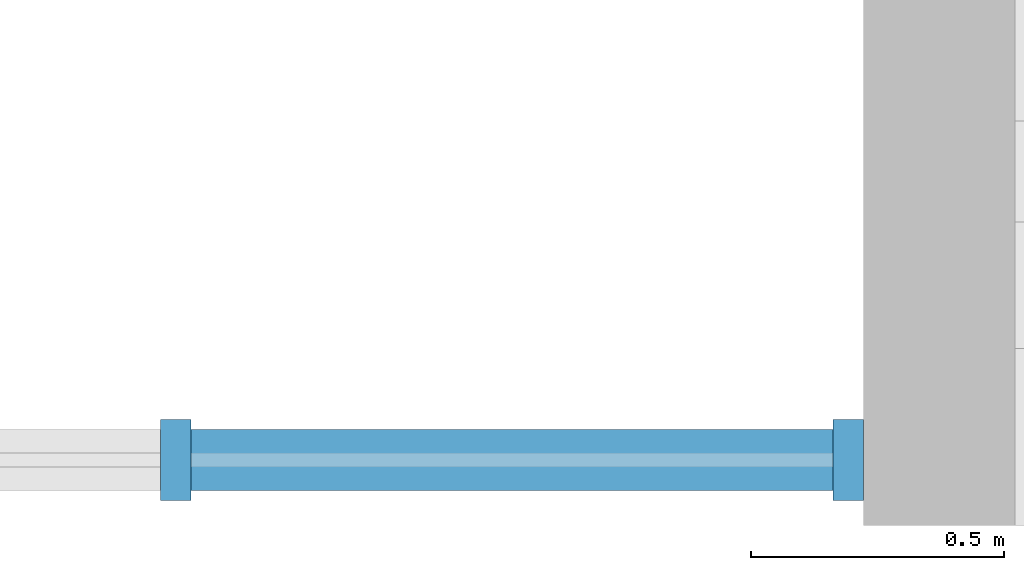
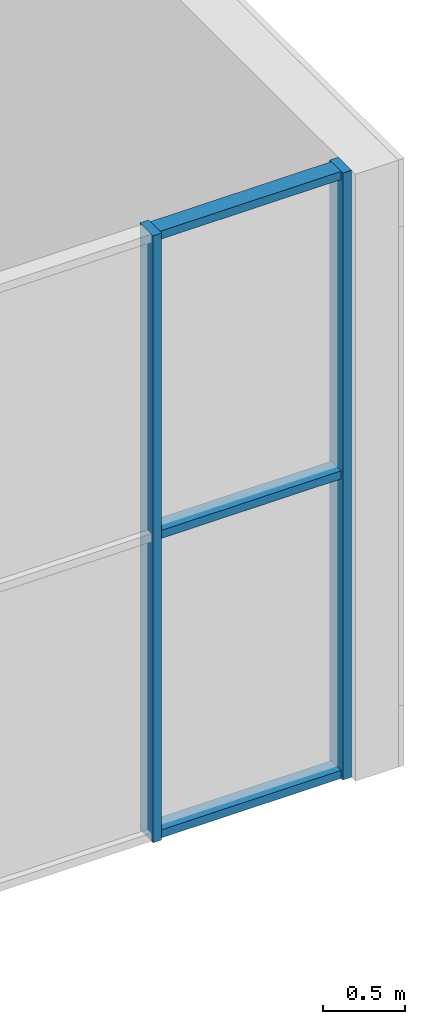
# One storey, part 11 of 70: 5 members, 1 element without a shape of its own.
"""IFC4 building model written with IfcOpenShell, lengths in metres."""

from ifc_helpers import new_model, si_unit, direction, frame, origin, origin_2d, place, context, subcontext, project, spatial, rectangle, extrude, material, material_profile, profile_set, type_object, element, aggregate, save


model = new_model("IFC4")

# Units and contexts
model_context = context("Model", 3, precision=1e-05, world=origin(), true_north=direction((0.0, 1.0)))
body_context = subcontext(model_context, "Body", "Model", "MODEL_VIEW")
ifc_project = project(units=[si_unit("LENGTHUNIT", "METRE"), si_unit("AREAUNIT", "SQUARE_METRE"), si_unit("VOLUMEUNIT", "CUBIC_METRE"), si_unit("PLANEANGLEUNIT", "RADIAN"), si_unit("MASSUNIT", "GRAM", prefix="KILO")], contexts=[model_context])

# Site, building, storey
site_placement = place(None, origin())
site = spatial("IfcSite", under=ifc_project, at=site_placement, CompositionType="ELEMENT")
building_placement = place(site_placement, origin())
building = spatial("IfcBuilding", under=site, at=building_placement, Name="Saffron Lane Theatres", CompositionType="ELEMENT")
storey_placement = place(building_placement, frame((0.0, 0.0, 12.0)))
storey = spatial("IfcBuildingStorey", under=building, at=storey_placement, Name="L02", CompositionType="ELEMENT", Elevation=12.0)

# Curtain wall, members
ifc_material_1 = material(Name="Aluminium", Category="aluminium")
curtain_wall_type = type_object("IfcCurtainWallType", Name="EX-CURTAIN WALL 5440x4500x160", PredefinedType="NOTDEFINED", material=ifc_material_1)
curtain_wall_placement = place(storey_placement, origin())
curtain_wall = element("IfcCurtainWall", 1, at=curtain_wall_placement, inside=storey, type_object=curtain_wall_type, Name="Curtain wall L02 05", PredefinedType="NOTDEFINED")
ifc_material_2 = material(Name="Aluminium", Category="aluminium")
ifc_material_profile_1 = material_profile(ifc_material_2, rectangle(XDim=0.06005859375, YDim=0.159912109375, at=origin_2d()))
ifc_profile_set_1 = profile_set([ifc_material_profile_1], Name="Aluminium")
member_type_1 = type_object("IfcMemberType", Name="EX-CW MULLION 60x160", PredefinedType="MULLION", material=ifc_profile_set_1)
member_1_placement = place(storey_placement, frame((65.60986328125, 0.1298828125, 0.0), z_axis=(0.0, 0.0, 1.0), x_axis=(-1.0, 0.0, 0.0)))
member_1 = element("IfcMember", 2, at=member_1_placement, type_object=member_type_1, Name="CW-02-05 mullion 1", PredefinedType="MULLION", context=body_context, shape_type="SweptSolid", body=[
    extrude(rectangle(XDim=0.06005859375, YDim=0.159912109375, at=origin_2d()), origin(), (0.0, 0.0, 1.0), 4.5),
])
member_2_placement = place(storey_placement, frame((64.280029296875, 0.1298828125, 0.0), z_axis=(0.0, 0.0, 1.0), x_axis=(-1.0, 0.0, 0.0)))
member_2 = element("IfcMember", 3, at=member_2_placement, type_object=member_type_1, Name="CW-02-05 mullion 2", PredefinedType="MULLION", context=body_context, shape_type="SweptSolid", body=[
    extrude(rectangle(XDim=0.06005859375, YDim=0.159912109375, at=origin_2d()), origin(), (0.0, 0.0, 1.0), 4.5),
])
ifc_material_3 = material(Name="Aluminium", Category="aluminium")
ifc_material_profile_2 = material_profile(ifc_material_3, rectangle(XDim=0.1201171875, YDim=0.06005859375, at=origin_2d()))
ifc_profile_set_2 = profile_set([ifc_material_profile_2], Name="Aluminium")
member_type_2 = type_object("IfcMemberType", Name="EX-CW TRANSOM 120x60", PredefinedType="USERDEFINED", material=ifc_profile_set_2)
member_3_placement = place(storey_placement, frame((65.579833984375, 0.1298828125, 0.030029296875), z_axis=(-1.0, 0.0, 0.0), x_axis=(0.0, -1.0, 0.0)))
member_3 = element("IfcMember", 4, at=member_3_placement, type_object=member_type_2, Name="CW-02-05 transom 1.1", ObjectType="TRANSOM", PredefinedType="USERDEFINED", context=body_context, shape_type="SweptSolid", body=[
    extrude(rectangle(XDim=0.1201171875, YDim=0.06005859375, at=origin_2d()), origin(), (0.0, 0.0, 1.0), 1.27001953125),
])
member_4_placement = place(storey_placement, frame((65.579833984375, 0.1298828125, 2.25), z_axis=(-1.0, 0.0, 0.0), x_axis=(0.0, -1.0, 0.0)))
member_4 = element("IfcMember", 5, at=member_4_placement, type_object=member_type_2, Name="CW-02-05 transom 1.2", ObjectType="TRANSOM", PredefinedType="USERDEFINED", context=body_context, shape_type="SweptSolid", body=[
    extrude(rectangle(XDim=0.1201171875, YDim=0.06005859375, at=origin_2d()), origin(), (0.0, 0.0, 1.0), 1.27001953125),
])
member_5_placement = place(storey_placement, frame((65.579833984375, 0.1298828125, 4.469970703125), z_axis=(-1.0, 0.0, 0.0), x_axis=(0.0, -1.0, 0.0)))
member_5 = element("IfcMember", 6, at=member_5_placement, type_object=member_type_2, Name="CW-02-05 transom 1.3", ObjectType="TRANSOM", PredefinedType="USERDEFINED", context=body_context, shape_type="SweptSolid", body=[
    extrude(rectangle(XDim=0.1201171875, YDim=0.06005859375, at=origin_2d()), origin(), (0.0, 0.0, 1.0), 1.27001953125),
])
aggregate(curtain_wall, [member_1, member_2, member_3, member_4, member_5])

save(model, "model.ifc")
